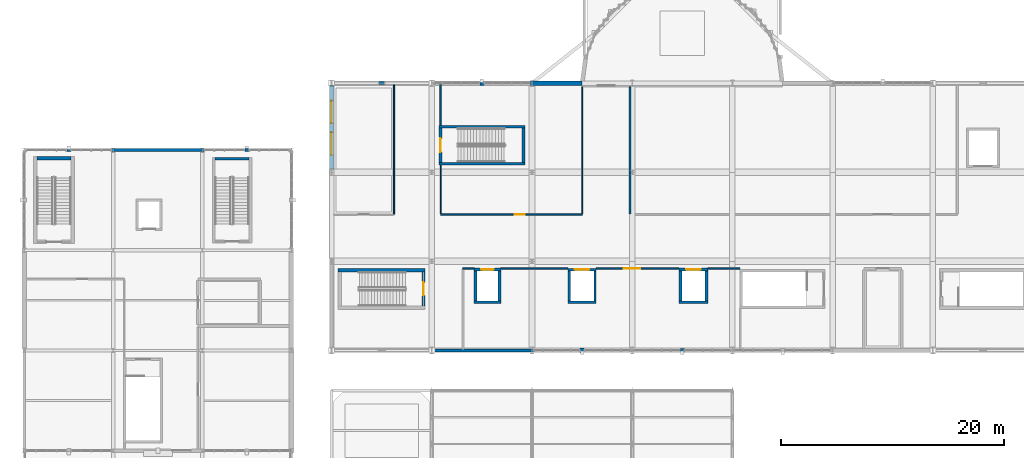
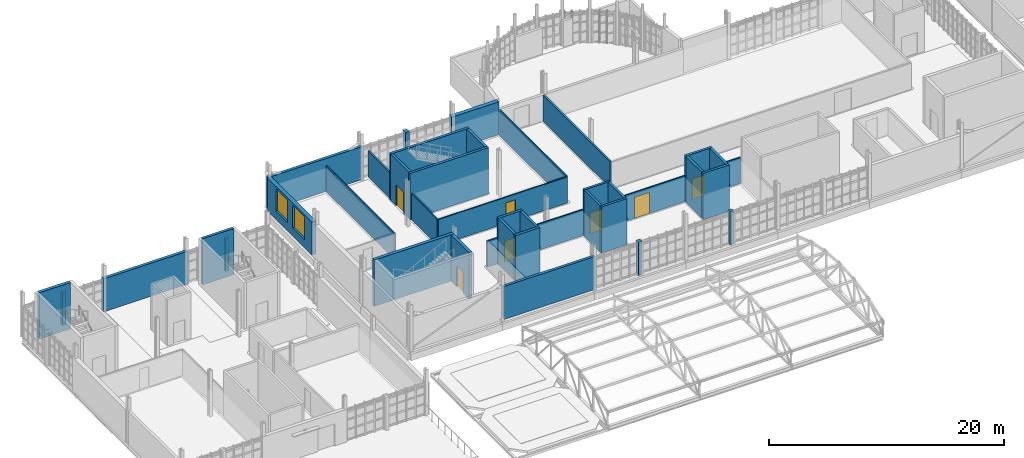
# One storey, part 114 of 128: 40 walls, 7 doors, 2 windows, 9 openings.
"""IFC4 building model written with IfcOpenShell, lengths in metres."""

from ifc_helpers import new_model, si_unit, direction, frame, frame_2d, origin, place, context, subcontext, project, spatial, rectangle, extrude, material, layer, layer_set, type_object, element, fill, save


model = new_model("IFC4")

# Units and contexts
model_context = context("Model", 3, precision=1e-05, world=origin(), true_north=direction((0.0, 1.0)))
body_context = subcontext(model_context, "Body", "Model", "MODEL_VIEW")
ifc_project = project(units=[si_unit("LENGTHUNIT", "METRE"), si_unit("AREAUNIT", "SQUARE_METRE"), si_unit("VOLUMEUNIT", "CUBIC_METRE"), si_unit("PLANEANGLEUNIT", "RADIAN"), si_unit("MASSUNIT", "GRAM", prefix="KILO")], contexts=[model_context])

# Site, building, storey
site_placement = place(None, origin())
site = spatial("IfcSite", under=ifc_project, at=site_placement, CompositionType="ELEMENT")
building_placement = place(site_placement, origin())
building = spatial("IfcBuilding", under=site, at=building_placement, Name="Serraforn Aerial Cableway Station", CompositionType="ELEMENT")
storey_placement = place(building_placement, frame((0.0, 0.0, 9.0)))
storey = spatial("IfcBuildingStorey", under=building, at=storey_placement, Name="L02", CompositionType="ELEMENT", Elevation=9.0)

# Wall
ifc_material_1 = material(Name="Concrete C35/45", Category="concrete")
ifc_layer_1 = layer(ifc_material_1, 0.219970703125)
ifc_layer_set_1 = layer_set([ifc_layer_1], Name="Concrete C35/45")
wall_type_1 = type_object("IfcWallType", Name="WL-COR-220", PredefinedType="SHEAR", material=ifc_layer_set_1)
wall_1_placement = place(storey_placement, frame((48.830078125, 22.340087890625, 0.0), z_axis=(0.0, 0.0, 1.0), x_axis=(1.0, 0.0, 0.0)))
element("IfcWall", 1, at=wall_1_placement, inside=storey, type_object=wall_type_1, Name="Lift Shaft Shear Wall WLFT-LF-03-L02-S", PredefinedType="SHEAR", context=body_context, shape_type="SweptSolid", body=[
    extrude(rectangle(XDim=2.5400390625, YDim=0.219970703125, at=frame_2d((1.27001953125, 0.0))), origin(), (0.0, 0.0, 1.0), 4.800048828125),
])

# Wall, opening, door
wall_2_placement = place(storey_placement, frame((48.830078125, 25.260009765625, 0.0), z_axis=(0.0, 0.0, 1.0), x_axis=(1.0, 0.0, 0.0)))
wall_2 = element("IfcWall", 2, at=wall_2_placement, inside=storey, type_object=wall_type_1, Name="Lift Shaft Shear Wall WLFT-LF-03-L02-N", PredefinedType="SHEAR", context=body_context, shape_type="SweptSolid", body=[
    extrude(rectangle(XDim=2.5400390625, YDim=0.219970703125, at=frame_2d((1.27001953125, 0.0))), origin(), (0.0, 0.0, 1.0), 4.800048828125),
])
opening_1_placement = place(wall_2_placement, frame((0.6201171875, 0.0, 0.0)))
opening_1 = element("IfcOpeningElement", 3, at=opening_1_placement, cuts=wall_2, Name="Opening LD-13", PredefinedType="OPENING", context=body_context, shape_type="SweptSolid", body=[
    extrude(rectangle(XDim=1.300048828125, YDim=2.14990234375, at=frame_2d((0.64990234375, 1.074951171875))), frame((0.0, 0.119873046875, 0.0), z_axis=(0.0, -1.0, 0.0), x_axis=(1.0, 0.0, 0.0)), (0.0, 0.0, 1.0), 0.239990234375),
])
ifc_material_2 = material(Name="Brushed stainless-steel sliding lift landing door", Category="steel")
door_type_1 = type_object("IfcDoorType", Name="DR-LIFT-130", OperationType="SLIDING_TO_RIGHT", PredefinedType="DOOR", material=ifc_material_2)
door_1_placement = place(opening_1_placement, origin())
door_1 = element("IfcDoor", 4, at=door_1_placement, inside=storey, type_object=door_type_1, Name="Sliding Lift Landing Door LD-13 (LF-03 L02)", OperationType="SLIDING_TO_RIGHT", OverallHeight=2.14990234375, OverallWidth=1.300048828125, PredefinedType="DOOR", context=body_context, shape_type="SweptSolid", body=[
    extrude(rectangle(XDim=1.300048828125, YDim=2.14990234375, at=frame_2d((0.64990234375, 1.074951171875))), frame((0.0, 0.02490234375, 0.0), z_axis=(0.0, -1.0, 0.0), x_axis=(1.0, 0.0, 0.0)), (0.0, 0.0, 1.0), 0.050048828125),
])
fill(opening_1, door_1)

# Walls
for number, where, z_axis, x_axis, name in (
    (5, (48.93994140625, 22.449951171875, 0.0), (0.0, 0.0, 1.0), (0.0, 1.0, 0.0), "Lift Shaft Shear Wall WLFT-LF-03-L02-W"),
    (6, (51.260009765625, 22.449951171875, 0.0), (0.0, 0.0, 1.0), (0.0, 1.0, 0.0), "Lift Shaft Shear Wall WLFT-LF-03-L02-E"),
):
    element("IfcWall", number, at=place(storey_placement, frame(where, z_axis=z_axis, x_axis=x_axis)), inside=storey, type_object=wall_type_1, Name=name, PredefinedType="SHEAR", context=body_context, shape_type="SweptSolid", body=[
        extrude(rectangle(XDim=2.699951171875, YDim=0.219970703125, at=frame_2d((1.35009765625, 0.0))), origin(), (0.0, 0.0, 1.0), 4.800048828125),
    ])
ifc_layer_2 = layer(ifc_material_1, 0.25)
ifc_layer_set_2 = layer_set([ifc_layer_2], Name="Concrete C35/45")
wall_type_2 = type_object("IfcWallType", Name="WL-COR-250", PredefinedType="SHEAR", material=ifc_layer_set_2)
wall_3_placement = place(storey_placement, frame((20.199951171875, 35.22509765625, 0.0), z_axis=(0.0, 0.0, 1.0), x_axis=(-1.0, 0.0, 0.0)))
element("IfcWall", 7, at=wall_3_placement, inside=storey, type_object=wall_type_2, Name="Stair Core Shear Wall WCOR-ST-02-L02-FAR", PredefinedType="SHEAR", context=body_context, shape_type="SweptSolid", body=[
    extrude(rectangle(XDim=3.06005859375, YDim=0.25, at=frame_2d((1.530029296875, 0.0))), origin(), (0.0, 0.0, 1.0), 4.800048828125),
])

# Wall, opening, door
wall_4_placement = place(storey_placement, frame((37.375, 34.89990234375, 0.0), z_axis=(0.0, 0.0, 1.0), x_axis=(0.0, 1.0, 0.0)))
wall_4 = element("IfcWall", 8, at=wall_4_placement, inside=storey, type_object=wall_type_2, Name="Stair Core Shear Wall WCOR-ST-04-L02-NEAR", PredefinedType="SHEAR", context=body_context, shape_type="SweptSolid", body=[
    extrude(rectangle(XDim=3.06005859375, YDim=0.25, at=frame_2d((1.530029296875, 0.0))), origin(), (0.0, 0.0, 1.0), 4.800048828125),
])
opening_2_placement = place(wall_4_placement, frame((0.905029296875, 0.0, 0.0)))
opening_2 = element("IfcOpeningElement", 9, at=opening_2_placement, cuts=wall_4, Name="Opening D-S20", PredefinedType="OPENING", context=body_context, shape_type="SweptSolid", body=[
    extrude(rectangle(XDim=1.25, YDim=2.14990234375, at=frame_2d((0.625, 1.074951171875))), frame((0.0, 0.135009765625, 0.0), z_axis=(0.0, -1.0, 0.0), x_axis=(1.0, 0.0, 0.0)), (0.0, 0.0, 1.0), 0.27001953125),
])
ifc_material_3 = material(Name="Self-closing steel stair fire door", Category="steel")
door_type_2 = type_object("IfcDoorType", Name="DR-STAIR-125", OperationType="NOTDEFINED", PredefinedType="DOOR", material=ifc_material_3)
door_2_placement = place(opening_2_placement, origin())
door_2 = element("IfcDoor", 10, at=door_2_placement, inside=storey, type_object=door_type_2, Name="Protected Stair Door D-S20", OperationType="SINGLE_SWING_RIGHT", OverallHeight=2.14990234375, OverallWidth=1.25, PredefinedType="DOOR", context=body_context, shape_type="SweptSolid", body=[
    extrude(rectangle(XDim=1.25, YDim=2.14990234375, at=frame_2d((0.625, 1.074951171875))), frame((0.0, 0.02490234375, 0.0), z_axis=(0.0, -1.0, 0.0), x_axis=(1.0, 0.0, 0.0)), (0.0, 0.0, 1.0), 0.050048828125),
])
fill(opening_2, door_2)

# Walls
wall_5_placement = place(storey_placement, frame((44.824951171875, 34.89990234375, 0.0), z_axis=(0.0, 0.0, 1.0), x_axis=(0.0, 1.0, 0.0)))
element("IfcWall", 11, at=wall_5_placement, inside=storey, type_object=wall_type_2, Name="Stair Core Shear Wall WCOR-ST-04-L02-FAR", PredefinedType="SHEAR", context=body_context, shape_type="SweptSolid", body=[
    extrude(rectangle(XDim=3.06005859375, YDim=0.25, at=frame_2d((1.530029296875, 0.0))), origin(), (0.0, 0.0, 1.0), 4.800048828125),
])
for number, where, z_axis, x_axis, name in (
    (12, (37.25, 34.77490234375, 0.0), (0.0, 0.0, 1.0), (1.0, 0.0, 0.0), "Stair Core Shear Wall WCOR-ST-04-L02-L"),
    (13, (37.25, 38.0849609375, 0.0), (0.0, 0.0, 1.0), (1.0, 0.0, 0.0), "Stair Core Shear Wall WCOR-ST-04-L02-R"),
):
    element("IfcWall", number, at=place(storey_placement, frame(where, z_axis=z_axis, x_axis=x_axis)), inside=storey, type_object=wall_type_2, Name=name, PredefinedType="SHEAR", context=body_context, shape_type="SweptSolid", body=[
        extrude(rectangle(XDim=7.699951171875, YDim=0.25, at=frame_2d((3.85009765625, 0.0))), origin(), (0.0, 0.0, 1.0), 4.800048828125),
    ])
wall_6_placement = place(storey_placement, frame((40.39990234375, 22.324951171875, 0.0), z_axis=(0.0, 0.0, 1.0), x_axis=(1.0, 0.0, 0.0)))
element("IfcWall", 14, at=wall_6_placement, inside=storey, type_object=wall_type_2, Name="Lift Shaft Shear Wall WLFT-LF-02-L02-S", PredefinedType="SHEAR", context=body_context, shape_type="SweptSolid", body=[
    extrude(rectangle(XDim=2.400146484375, YDim=0.25, at=frame_2d((1.2001953125, 0.0))), origin(), (0.0, 0.0, 1.0), 4.800048828125),
])

# Wall, opening, door
wall_7_placement = place(storey_placement, frame((40.39990234375, 25.27490234375, 0.0), z_axis=(0.0, 0.0, 1.0), x_axis=(1.0, 0.0, 0.0)))
wall_7 = element("IfcWall", 15, at=wall_7_placement, inside=storey, type_object=wall_type_2, Name="Lift Shaft Shear Wall WLFT-LF-02-L02-N", PredefinedType="SHEAR", context=body_context, shape_type="SweptSolid", body=[
    extrude(rectangle(XDim=2.400146484375, YDim=0.25, at=frame_2d((1.2001953125, 0.0))), origin(), (0.0, 0.0, 1.0), 4.800048828125),
])
opening_3_placement = place(wall_7_placement, frame((0.64990234375, 0.0, 0.0)))
opening_3 = element("IfcOpeningElement", 16, at=opening_3_placement, cuts=wall_7, Name="Opening LD-08", PredefinedType="OPENING", context=body_context, shape_type="SweptSolid", body=[
    extrude(rectangle(XDim=1.10009765625, YDim=2.14990234375, at=frame_2d((0.550048828125, 1.074951171875))), frame((0.0, 0.135009765625, 0.0), z_axis=(0.0, -1.0, 0.0), x_axis=(1.0, 0.0, 0.0)), (0.0, 0.0, 1.0), 0.27001953125),
])
door_type_3 = type_object("IfcDoorType", Name="DR-LIFT-110", OperationType="SLIDING_TO_LEFT", PredefinedType="DOOR", material=ifc_material_2)
door_3_placement = place(opening_3_placement, origin())
door_3 = element("IfcDoor", 17, at=door_3_placement, inside=storey, type_object=door_type_3, Name="Sliding Lift Landing Door LD-08 (LF-02 L02)", OperationType="SLIDING_TO_LEFT", OverallHeight=2.14990234375, OverallWidth=1.10009765625, PredefinedType="DOOR", context=body_context, shape_type="SweptSolid", body=[
    extrude(rectangle(XDim=1.10009765625, YDim=2.14990234375, at=frame_2d((0.550048828125, 1.074951171875))), frame((0.0, 0.02490234375, 0.0), z_axis=(0.0, -1.0, 0.0), x_axis=(1.0, 0.0, 0.0)), (0.0, 0.0, 1.0), 0.050048828125),
])
fill(opening_3, door_3)

# Walls
for number, where, z_axis, x_axis, name in (
    (18, (40.52490234375, 22.449951171875, 0.0), (0.0, 0.0, 1.0), (0.0, 1.0, 0.0), "Lift Shaft Shear Wall WLFT-LF-02-L02-W"),
    (19, (42.675048828125, 22.449951171875, 0.0), (0.0, 0.0, 1.0), (0.0, 1.0, 0.0), "Lift Shaft Shear Wall WLFT-LF-02-L02-E"),
):
    element("IfcWall", number, at=place(storey_placement, frame(where, z_axis=z_axis, x_axis=x_axis)), inside=storey, type_object=wall_type_2, Name=name, PredefinedType="SHEAR", context=body_context, shape_type="SweptSolid", body=[
        extrude(rectangle(XDim=2.699951171875, YDim=0.25, at=frame_2d((1.35009765625, 0.0))), origin(), (0.0, 0.0, 1.0), 4.800048828125),
    ])
wall_8_placement = place(storey_placement, frame((58.800048828125, 22.324951171875, 0.0), z_axis=(0.0, 0.0, 1.0), x_axis=(1.0, 0.0, 0.0)))
element("IfcWall", 20, at=wall_8_placement, inside=storey, type_object=wall_type_2, Name="Lift Shaft Shear Wall WLFT-LF-04-L02-S", PredefinedType="SHEAR", context=body_context, shape_type="SweptSolid", body=[
    extrude(rectangle(XDim=2.599853515625, YDim=0.25, at=frame_2d((1.2998046875, 0.0))), origin(), (0.0, 0.0, 1.0), 4.800048828125),
])

# Wall, opening, door
wall_9_placement = place(storey_placement, frame((58.800048828125, 25.27490234375, 0.0), z_axis=(0.0, 0.0, 1.0), x_axis=(1.0, 0.0, 0.0)))
wall_9 = element("IfcWall", 21, at=wall_9_placement, inside=storey, type_object=wall_type_2, Name="Lift Shaft Shear Wall WLFT-LF-04-L02-N", PredefinedType="SHEAR", context=body_context, shape_type="SweptSolid", body=[
    extrude(rectangle(XDim=2.599853515625, YDim=0.25, at=frame_2d((1.2998046875, 0.0))), origin(), (0.0, 0.0, 1.0), 4.800048828125),
])
opening_4_placement = place(wall_9_placement, frame((0.64990234375, 0.0, 0.0)))
opening_4 = element("IfcOpeningElement", 22, at=opening_4_placement, cuts=wall_9, Name="Opening LD-17", PredefinedType="OPENING", context=body_context, shape_type="SweptSolid", body=[
    extrude(rectangle(XDim=1.300048828125, YDim=2.14990234375, at=frame_2d((0.64990234375, 1.074951171875))), frame((0.0, 0.135009765625, 0.0), z_axis=(0.0, -1.0, 0.0), x_axis=(1.0, 0.0, 0.0)), (0.0, 0.0, 1.0), 0.27001953125),
])
door_4_placement = place(opening_4_placement, origin())
door_4 = element("IfcDoor", 23, at=door_4_placement, inside=storey, type_object=door_type_1, Name="Sliding Lift Landing Door LD-17 (LF-04 L02)", OperationType="SLIDING_TO_RIGHT", OverallHeight=2.14990234375, OverallWidth=1.300048828125, PredefinedType="DOOR", context=body_context, shape_type="SweptSolid", body=[
    extrude(rectangle(XDim=1.300048828125, YDim=2.14990234375, at=frame_2d((0.64990234375, 1.074951171875))), frame((0.0, 0.02490234375, 0.0), z_axis=(0.0, -1.0, 0.0), x_axis=(1.0, 0.0, 0.0)), (0.0, 0.0, 1.0), 0.050048828125),
])
fill(opening_4, door_4)

# Walls
for number, where, z_axis, x_axis, name in (
    (24, (58.925048828125, 22.449951171875, 0.0), (0.0, 0.0, 1.0), (0.0, 1.0, 0.0), "Lift Shaft Shear Wall WLFT-LF-04-L02-W"),
    (25, (61.27490234375, 22.449951171875, 0.0), (0.0, 0.0, 1.0), (0.0, 1.0, 0.0), "Lift Shaft Shear Wall WLFT-LF-04-L02-E"),
):
    element("IfcWall", number, at=place(storey_placement, frame(where, z_axis=z_axis, x_axis=x_axis)), inside=storey, type_object=wall_type_2, Name=name, PredefinedType="SHEAR", context=body_context, shape_type="SweptSolid", body=[
        extrude(rectangle(XDim=2.699951171875, YDim=0.25, at=frame_2d((1.35009765625, 0.0))), origin(), (0.0, 0.0, 1.0), 4.800048828125),
    ])
ifc_layer_3 = layer(ifc_material_1, 0.300048828125)
ifc_layer_set_3 = layer_set([ifc_layer_3], Name="Concrete C35/45")
wall_type_3 = type_object("IfcWallType", Name="WL-COR-300", PredefinedType="SHEAR", material=ifc_layer_set_3)
wall_10_placement = place(storey_placement, frame((4.199951171875, 35.25, 0.0), z_axis=(0.0, 0.0, 1.0), x_axis=(-1.0, 0.0, 0.0)))
element("IfcWall", 26, at=wall_10_placement, inside=storey, type_object=wall_type_3, Name="Stair Core Shear Wall WCOR-ST-01-L02-FAR", PredefinedType="SHEAR", context=body_context, shape_type="SweptSolid", body=[
    extrude(rectangle(XDim=3.06005859375, YDim=0.300048828125, at=frame_2d((1.530029296875, 0.0))), origin(), (0.0, 0.0, 1.0), 4.800048828125),
])

# Wall, opening, door
wall_11_placement = place(storey_placement, frame((35.85009765625, 25.06005859375, 0.0), z_axis=(0.0, 0.0, 1.0), x_axis=(0.0, -1.0, 0.0)))
wall_11 = element("IfcWall", 27, at=wall_11_placement, inside=storey, type_object=wall_type_3, Name="Stair Core Shear Wall WCOR-ST-03-L02-NEAR", PredefinedType="SHEAR", context=body_context, shape_type="SweptSolid", body=[
    extrude(rectangle(XDim=3.06005859375, YDim=0.300048828125, at=frame_2d((1.530029296875, 0.0))), origin(), (0.0, 0.0, 1.0), 4.800048828125),
])
opening_5_placement = place(wall_11_placement, frame((0.955078125, 0.0, 0.0)))
opening_5 = element("IfcOpeningElement", 28, at=opening_5_placement, cuts=wall_11, Name="Opening D-S15", PredefinedType="OPENING", context=body_context, shape_type="SweptSolid", body=[
    extrude(rectangle(XDim=1.14990234375, YDim=2.14990234375, at=frame_2d((0.574951171875, 1.074951171875))), frame((0.0, 0.159912109375, 0.0), z_axis=(0.0, -1.0, 0.0), x_axis=(1.0, 0.0, 0.0)), (0.0, 0.0, 1.0), 0.320068359375),
])
door_type_4 = type_object("IfcDoorType", Name="DR-STAIR-115", OperationType="NOTDEFINED", PredefinedType="DOOR", material=ifc_material_3)
door_5_placement = place(opening_5_placement, origin())
door_5 = element("IfcDoor", 29, at=door_5_placement, inside=storey, type_object=door_type_4, Name="Protected Stair Door D-S15", OperationType="SINGLE_SWING_LEFT", OverallHeight=2.14990234375, OverallWidth=1.14990234375, PredefinedType="DOOR", context=body_context, shape_type="SweptSolid", body=[
    extrude(rectangle(XDim=1.14990234375, YDim=2.14990234375, at=frame_2d((0.574951171875, 1.074951171875))), frame((0.0, 0.02490234375, 0.0), z_axis=(0.0, -1.0, 0.0), x_axis=(1.0, 0.0, 0.0)), (0.0, 0.0, 1.0), 0.050048828125),
])
fill(opening_5, door_5)

# Walls
wall_12_placement = place(storey_placement, frame((36.0, 25.2099609375, 0.0), z_axis=(0.0, 0.0, 1.0), x_axis=(-1.0, 0.0, 0.0)))
element("IfcWall", 30, at=wall_12_placement, inside=storey, type_object=wall_type_3, Name="Stair Core Shear Wall WCOR-ST-03-L02-L", PredefinedType="SHEAR", context=body_context, shape_type="SweptSolid", body=[
    extrude(rectangle(XDim=7.800048828125, YDim=0.300048828125, at=frame_2d((3.89990234375, 0.0))), origin(), (0.0, 0.0, 1.0), 4.800048828125),
])
ifc_material_4 = material(Name="Insulated stuccoed terracotta facade", Category="masonry")
ifc_layer_4 = layer(ifc_material_4, 0.260009765625)
ifc_layer_set_4 = layer_set([ifc_layer_4], Name="Insulated stuccoed terracotta facade")
wall_type_4 = type_object("IfcWallType", Name="WL-EXT-260", PredefinedType="SOLIDWALL", material=ifc_layer_set_4)
wall_13_placement = place(storey_placement, frame((36.7509765625, 18.0, 0.0), z_axis=(0.0, 0.0, 1.0), x_axis=(1.0, 0.0, 0.0)))
element("IfcWall", 31, at=wall_13_placement, inside=storey, type_object=wall_type_4, Name="Exterior Wall WEXT-CV-L02-S2", PredefinedType="SOLIDWALL", context=body_context, shape_type="SweptSolid", body=[
    extrude(rectangle(XDim=8.9990234375, YDim=0.260009765625, at=frame_2d((4.49951171875, 0.0))), origin(), (0.0, 0.0, 1.0), 3.419921875),
])
ifc_layer_5 = layer(ifc_material_4, 0.27490234375)
ifc_layer_set_5 = layer_set([ifc_layer_5], Name="Insulated stuccoed terracotta facade")
wall_type_5 = type_object("IfcWallType", Name="WL-EXT-275", PredefinedType="SOLIDWALL", material=ifc_layer_set_5)
wall_14_placement = place(storey_placement, frame((20.179931640625, 36.0, 0.0), z_axis=(0.0, 0.0, 1.0), x_axis=(-1.0, 0.0, 0.0)))
element("IfcWall", 32, at=wall_14_placement, inside=storey, type_object=wall_type_5, Name="Exterior Wall WPIER-W-L02-N3", PredefinedType="SOLIDWALL", context=body_context, shape_type="SweptSolid", body=[
    extrude(rectangle(XDim=0.35986328125, YDim=0.27490234375, at=frame_2d((0.179931640625, 0.0))), origin(), (0.0, 0.0, 1.0), 3.419921875),
])
wall_15_placement = place(storey_placement, frame((36.75, 42.0, 0.0), z_axis=(0.0, 0.0, 1.0), x_axis=(-1.0, 0.0, 0.0)))
element("IfcWall", 33, at=wall_15_placement, inside=storey, type_object=wall_type_5, Name="Exterior Wall WEXT-CV-L02-N1", PredefinedType="SOLIDWALL", context=body_context, shape_type="SweptSolid", body=[
    extrude(rectangle(XDim=9.300048828125, YDim=0.27490234375, at=frame_2d((4.64990234375, 0.0))), origin(), (0.0, 0.0, 1.0), 3.419921875),
])
ifc_material_5 = material(Name="Insulated fluted limestone rainscreen", Category="masonry")
ifc_layer_6 = layer(ifc_material_5, 0.2900390625)
ifc_layer_set_6 = layer_set([ifc_layer_6], Name="Insulated fluted limestone rainscreen")
wall_type_6 = type_object("IfcWallType", Name="WL-EXT-290", PredefinedType="SOLIDWALL", material=ifc_layer_set_6)
wall_16_placement = place(storey_placement, frame((16.14990234375, 36.0, 0.0), z_axis=(0.0, 0.0, 1.0), x_axis=(-1.0, 0.0, 0.0)))
element("IfcWall", 34, at=wall_16_placement, inside=storey, type_object=wall_type_6, Name="Exterior Wall WEXT-W-L02-N2", PredefinedType="SOLIDWALL", context=body_context, shape_type="SweptSolid", body=[
    extrude(rectangle(XDim=8.2998046875, YDim=0.2900390625, at=frame_2d((4.14990234375, 0.0))), origin(), (0.0, 0.0, 1.0), 3.419921875),
])
ifc_layer_7 = layer(ifc_material_5, 0.304931640625)
ifc_layer_set_7 = layer_set([ifc_layer_7], Name="Insulated fluted limestone rainscreen")
wall_type_7 = type_object("IfcWallType", Name="WL-EXT-305", PredefinedType="SOLIDWALL", material=ifc_layer_set_7)
wall_17_placement = place(storey_placement, frame((4.179931640625, 36.0, 0.0), z_axis=(0.0, 0.0, 1.0), x_axis=(-1.0, 0.0, 0.0)))
element("IfcWall", 35, at=wall_17_placement, inside=storey, type_object=wall_type_7, Name="Exterior Wall WPIER-W-L02-N1", PredefinedType="SOLIDWALL", context=body_context, shape_type="SweptSolid", body=[
    extrude(rectangle(XDim=0.35986328125, YDim=0.304931640625, at=frame_2d((0.179931640625, 0.0))), origin(), (0.0, 0.0, 1.0), 3.419921875),
])
ifc_material_6 = material(Name="Montjuic sandstone ashlar masonry", Category="masonry")
ifc_layer_8 = layer(ifc_material_6, 0.3798828125)
ifc_layer_set_8 = layer_set([ifc_layer_8], Name="Montjuic sandstone ashlar masonry")
wall_type_8 = type_object("IfcWallType", Name="WL-EXT-380", PredefinedType="SOLIDWALL", material=ifc_layer_set_8)
wall_18_placement = place(storey_placement, frame((58.919921875, 18.0, 0.0), z_axis=(0.0, 0.0, 1.0), x_axis=(1.0, 0.0, 0.0)))
element("IfcWall", 36, at=wall_18_placement, inside=storey, type_object=wall_type_8, Name="Exterior Wall WPIER-CV-L02-S4", PredefinedType="SOLIDWALL", context=body_context, shape_type="SweptSolid", body=[
    extrude(rectangle(XDim=0.360107421875, YDim=0.3798828125, at=frame_2d((0.18017578125, 0.0))), origin(), (0.0, 0.0, 1.0), 3.419921875),
])
ifc_layer_9 = layer(ifc_material_6, 0.39990234375)
ifc_layer_set_9 = layer_set([ifc_layer_9], Name="Montjuic sandstone ashlar masonry")
wall_type_9 = type_object("IfcWallType", Name="WL-EXT-400", PredefinedType="SOLIDWALL", material=ifc_layer_set_9)
wall_19_placement = place(storey_placement, frame((50.10009765625, 42.0, 0.0), z_axis=(0.0, 0.0, 1.0), x_axis=(-1.0, 0.0, 0.0)))
element("IfcWall", 37, at=wall_19_placement, inside=storey, type_object=wall_type_9, Name="Exterior Wall WEXT-CV-L02-N3", PredefinedType="SOLIDWALL", context=body_context, shape_type="SweptSolid", body=[
    extrude(rectangle(XDim=4.650146484375, YDim=0.39990234375, at=frame_2d((2.3251953125, 0.0))), origin(), (0.0, 0.0, 1.0), 3.419921875),
])

# Wall, openings, windows
wall_20_placement = place(storey_placement, frame((27.60009765625, 41.861572265625, 0.0), z_axis=(0.0, 0.0, 1.0), x_axis=(0.0, -1.0, 0.0)))
wall_20 = element("IfcWall", 38, at=wall_20_placement, inside=storey, type_object=wall_type_9, Name="Exterior Wall WEXT-CV-L02-W3", PredefinedType="SOLIDWALL", context=body_context, shape_type="SweptSolid", body=[
    extrude(rectangle(XDim=7.585693359375, YDim=0.39990234375, at=frame_2d((3.79296875, 0.0))), origin(), (0.0, 0.0, 1.0), 3.419921875),
])
opening_6_placement = place(wall_20_placement, frame((1.4365234375, 0.0, 0.85009765625)))
opening_6 = element("IfcOpeningElement", 39, at=opening_6_placement, cuts=wall_20, Name="Opening W-12", PredefinedType="OPENING", context=body_context, shape_type="SweptSolid", body=[
    extrude(rectangle(XDim=2.0, YDim=2.35009765625, at=frame_2d((1.0, 1.175048828125))), frame((0.0, 0.2099609375, 0.0), z_axis=(0.0, -1.0, 0.0), x_axis=(1.0, 0.0, 0.0)), (0.0, 0.0, 1.0), 0.419921875),
])
opening_7_placement = place(wall_20_placement, frame((4.28662109375, 0.0, 0.85009765625)))
opening_7 = element("IfcOpeningElement", 40, at=opening_7_placement, cuts=wall_20, Name="Opening W-12", PredefinedType="OPENING", context=body_context, shape_type="SweptSolid", body=[
    extrude(rectangle(XDim=2.0, YDim=2.35009765625, at=frame_2d((1.0, 1.175048828125))), frame((0.0, 0.2099609375, 0.0), z_axis=(0.0, -1.0, 0.0), x_axis=(1.0, 0.0, 0.0)), (0.0, 0.0, 1.0), 0.419921875),
])
ifc_material_7 = material(Name="Anodised bronze aluminium and low-E double glazing", Category="aluminium")
window_type = type_object("IfcWindowType", Name="WIN-ART-12", PartitioningType="SINGLE_PANEL", PredefinedType="WINDOW", material=ifc_material_7)
window_1_placement = place(opening_6_placement, origin())
window_1 = element("IfcWindow", 41, at=window_1_placement, inside=storey, type_object=window_type, Name="Art Deco Window WEXT-CV-L02-W3-W1", OverallHeight=2.35009765625, OverallWidth=2.0, PartitioningType="SINGLE_PANEL", PredefinedType="WINDOW", context=body_context, shape_type="SweptSolid", body=[
    extrude(rectangle(XDim=2.0, YDim=2.35009765625, at=frame_2d((1.0, 1.175048828125))), frame((0.0, 0.030029296875, 0.0), z_axis=(0.0, -1.0, 0.0), x_axis=(1.0, 0.0, 0.0)), (0.0, 0.0, 1.0), 0.06005859375),
])
fill(opening_6, window_1)
window_2_placement = place(opening_7_placement, origin())
window_2 = element("IfcWindow", 42, at=window_2_placement, inside=storey, type_object=window_type, Name="Art Deco Window WEXT-CV-L02-W3-W2", OverallHeight=2.35009765625, OverallWidth=2.0, PartitioningType="SINGLE_PANEL", PredefinedType="WINDOW", context=body_context, shape_type="SweptSolid", body=[
    extrude(rectangle(XDim=2.0, YDim=2.35009765625, at=frame_2d((1.0, 1.175048828125))), frame((0.0, 0.030029296875, 0.0), z_axis=(0.0, -1.0, 0.0), x_axis=(1.0, 0.0, 0.0)), (0.0, 0.0, 1.0), 0.06005859375),
])
fill(opening_7, window_2)

# Walls
ifc_layer_10 = layer(ifc_material_6, 0.4150390625)
ifc_layer_set_10 = layer_set([ifc_layer_10], Name="Montjuic sandstone ashlar masonry")
wall_type_10 = type_object("IfcWallType", Name="WL-EXT-415", PredefinedType="SOLIDWALL", material=ifc_layer_set_10)
wall_21_placement = place(storey_placement, frame((49.919921875, 18.0, 0.0), z_axis=(0.0, 0.0, 1.0), x_axis=(1.0, 0.0, 0.0)))
element("IfcWall", 43, at=wall_21_placement, inside=storey, type_object=wall_type_10, Name="Exterior Wall WPIER-CV-L02-S3", PredefinedType="SOLIDWALL", context=body_context, shape_type="SweptSolid", body=[
    extrude(rectangle(XDim=0.360107421875, YDim=0.4150390625, at=frame_2d((0.18017578125, 0.0))), origin(), (0.0, 0.0, 1.0), 3.419921875),
])
ifc_layer_11 = layer(ifc_material_6, 0.429931640625)
ifc_layer_set_11 = layer_set([ifc_layer_11], Name="Montjuic sandstone ashlar masonry")
wall_type_11 = type_object("IfcWallType", Name="WL-EXT-430", PredefinedType="SOLIDWALL", material=ifc_layer_set_11)
wall_22_placement = place(storey_placement, frame((41.280029296875, 42.0, 0.0), z_axis=(0.0, 0.0, 1.0), x_axis=(-1.0, 0.0, 0.0)))
element("IfcWall", 44, at=wall_22_placement, inside=storey, type_object=wall_type_11, Name="Exterior Wall WPIER-CV-L02-N2", PredefinedType="SOLIDWALL", context=body_context, shape_type="SweptSolid", body=[
    extrude(rectangle(XDim=0.360107421875, YDim=0.429931640625, at=frame_2d((0.18017578125, 0.0))), origin(), (0.0, 0.0, 1.0), 3.419921875),
])

# Wall, opening, door
ifc_material_8 = material(Name="Operable acoustic auditorium partition")
ifc_layer_12 = layer(ifc_material_8, 0.1259765625)
ifc_layer_set_12 = layer_set([ifc_layer_12], Name="Operable acoustic auditorium partition")
wall_type_12 = type_object("IfcWallType", Name="WL-MOV-126", PredefinedType="MOVABLE", material=ifc_layer_set_12)
wall_23_placement = place(storey_placement, frame((50.10009765625, 30.199951171875, 0.0), z_axis=(0.0, 0.0, 1.0), x_axis=(-1.0, 0.0, 0.0)))
wall_23 = element("IfcWall", 45, at=wall_23_placement, inside=storey, type_object=wall_type_12, Name="Interior Partition WPRT-L02-04-176", PredefinedType="MOVABLE", context=body_context, shape_type="SweptSolid", body=[
    extrude(rectangle(XDim=12.7001953125, YDim=0.1259765625, at=frame_2d((6.35009765625, 0.0))), origin(), (0.0, 0.0, 1.0), 2.699951171875),
])
opening_8_placement = place(wall_23_placement, frame((5.139892578125, 0.0, 0.0)))
opening_8 = element("IfcOpeningElement", 46, at=opening_8_placement, cuts=wall_23, Name="Opening DI-055", PredefinedType="OPENING", context=body_context, shape_type="SweptSolid", body=[
    extrude(rectangle(XDim=0.919921875, YDim=2.1201171875, at=frame_2d((0.4599609375, 1.06005859375))), frame((0.0, 0.072998046875, 0.0), z_axis=(0.0, -1.0, 0.0), x_axis=(1.0, 0.0, 0.0)), (0.0, 0.0, 1.0), 0.14599609375),
])
ifc_material_9 = material(Name="Timber acoustic veneer leaf", Category="wood")
door_type_5 = type_object("IfcDoorType", Name="DR-INT-092", OperationType="NOTDEFINED", PredefinedType="DOOR", material=ifc_material_9)
door_6_placement = place(opening_8_placement, origin())
door_6 = element("IfcDoor", 47, at=door_6_placement, inside=storey, type_object=door_type_5, Name="Room Door DI-055 (L02-04)", OperationType="SINGLE_SWING_RIGHT", OverallHeight=2.1201171875, OverallWidth=0.919921875, PredefinedType="DOOR", context=body_context, shape_type="SweptSolid", body=[
    extrude(rectangle(XDim=0.919921875, YDim=2.1201171875, at=frame_2d((0.4599609375, 1.06005859375))), frame((0.0, 0.02490234375, 0.0), z_axis=(0.0, -1.0, 0.0), x_axis=(1.0, 0.0, 0.0)), (0.0, 0.0, 1.0), 0.050048828125),
])
fill(opening_8, door_6)

# Walls
ifc_material_10 = material(Name="Glazed acoustic timber-framed partition", Category="wood")
ifc_layer_13 = layer(ifc_material_10, 0.092041015625)
ifc_layer_set_13 = layer_set([ifc_layer_13], Name="Glazed acoustic timber-framed partition")
wall_type_13 = type_object("IfcWallType", Name="WL-PRT-092", PredefinedType="PARTITIONING", material=ifc_layer_set_13)
wall_24_placement = place(storey_placement, frame((37.39990234375, 30.263916015625, 0.0), z_axis=(0.0, 0.0, 1.0), x_axis=(0.0, 1.0, 0.0)))
element("IfcWall", 48, at=wall_24_placement, inside=storey, type_object=wall_type_13, Name="Interior Partition WPRT-L02-04-177", PredefinedType="PARTITIONING", context=body_context, shape_type="SweptSolid", body=[
    extrude(rectangle(XDim=4.385009765625, YDim=0.092041015625, at=frame_2d((2.1923828125, 0.0))), origin(), (0.0, 0.0, 1.0), 2.699951171875),
])
ifc_layer_14 = layer(ifc_material_10, 0.10205078125)
ifc_layer_set_14 = layer_set([ifc_layer_14], Name="Glazed acoustic timber-framed partition")
wall_type_14 = type_object("IfcWallType", Name="WL-PRT-102", PredefinedType="PARTITIONING", material=ifc_layer_set_14)
wall_25_placement = place(storey_placement, frame((50.10009765625, 41.677978515625, 0.0), z_axis=(0.0, 0.0, 1.0), x_axis=(0.0, -1.0, 0.0)))
element("IfcWall", 49, at=wall_25_placement, inside=storey, type_object=wall_type_14, Name="Interior Partition WPRT-L02-04-175", PredefinedType="PARTITIONING", context=body_context, shape_type="SweptSolid", body=[
    extrude(rectangle(XDim=11.4140625, YDim=0.10205078125, at=frame_2d((5.70703125, 0.0))), origin(), (0.0, 0.0, 1.0), 2.699951171875),
])
ifc_material_11 = material(Name="Metal-stud gypsum partition")
ifc_layer_15 = layer(ifc_material_11, 0.110107421875)
ifc_layer_set_15 = layer_set([ifc_layer_15], Name="Metal-stud gypsum partition")
wall_type_15 = type_object("IfcWallType", Name="WL-PRT-110", PredefinedType="PARTITIONING", material=ifc_layer_set_15)
wall_26_placement = place(storey_placement, frame((33.199951171875, 41.861572265625, 0.0), z_axis=(0.0, 0.0, 1.0), x_axis=(0.0, -1.0, 0.0)))
element("IfcWall", 50, at=wall_26_placement, inside=storey, type_object=wall_type_15, Name="Interior Partition WPRT-L02-17-173", PredefinedType="PARTITIONING", context=body_context, shape_type="SweptSolid", body=[
    extrude(rectangle(XDim=11.607666015625, YDim=0.110107421875, at=frame_2d((5.8037109375, 0.0))), origin(), (0.0, 0.0, 1.0), 2.699951171875),
])
ifc_layer_16 = layer(ifc_material_11, 0.117919921875)
ifc_layer_set_16 = layer_set([ifc_layer_16], Name="Metal-stud gypsum partition")
wall_type_16 = type_object("IfcWallType", Name="WL-PRT-118", PredefinedType="PARTITIONING", material=ifc_layer_set_16)
wall_27_placement = place(storey_placement, frame((61.40087890625, 25.35009765625, 0.0), z_axis=(0.0, 0.0, 1.0), x_axis=(1.0, 0.0, 0.0)))
element("IfcWall", 51, at=wall_27_placement, inside=storey, type_object=wall_type_16, Name="Interior Partition WPRT-L02-07-171", PredefinedType="PARTITIONING", context=body_context, shape_type="SweptSolid", body=[
    extrude(rectangle(XDim=2.859130859375, YDim=0.117919921875, at=frame_2d((1.4296875, 0.0))), origin(), (0.0, 0.0, 1.0), 2.699951171875),
])

# Wall, opening, door
ifc_layer_17 = layer(ifc_material_11, 0.1220703125)
ifc_layer_set_17 = layer_set([ifc_layer_17], Name="Metal-stud gypsum partition")
wall_type_17 = type_object("IfcWallType", Name="WL-PRT-122", PredefinedType="PARTITIONING", material=ifc_layer_set_17)
wall_28_placement = place(storey_placement, frame((51.37109375, 25.35009765625, 0.0), z_axis=(0.0, 0.0, 1.0), x_axis=(1.0, 0.0, 0.0)))
wall_28 = element("IfcWall", 52, at=wall_28_placement, inside=storey, type_object=wall_type_17, Name="Interior Partition WPRT-L02-07-170", PredefinedType="PARTITIONING", context=body_context, shape_type="SweptSolid", body=[
    extrude(rectangle(XDim=7.427978515625, YDim=0.1220703125, at=frame_2d((3.7138671875, 0.0))), origin(), (0.0, 0.0, 1.0), 2.699951171875),
])
opening_9_placement = place(wall_28_placement, frame((2.489013671875, 0.0, 0.0)))
opening_9 = element("IfcOpeningElement", 53, at=opening_9_placement, cuts=wall_28, Name="Opening DI-053", PredefinedType="OPENING", context=body_context, shape_type="SweptSolid", body=[
    extrude(rectangle(XDim=1.47998046875, YDim=2.199951171875, at=frame_2d((0.739990234375, 1.10009765625))), frame((0.0, 0.071044921875, 0.0), z_axis=(0.0, -1.0, 0.0), x_axis=(1.0, 0.0, 0.0)), (0.0, 0.0, 1.0), 0.14208984375),
])
ifc_material_12 = material(Name="Double-leaf glazed salon door")
door_type_6 = type_object("IfcDoorType", Name="DR-INT-148U", OperationType="NOTDEFINED", PredefinedType="DOOR", material=ifc_material_12)
door_7_placement = place(opening_9_placement, origin())
door_7 = element("IfcDoor", 54, at=door_7_placement, inside=storey, type_object=door_type_6, Name="Room Door DI-053 (L02-07)", OperationType="SINGLE_SWING_RIGHT", OverallHeight=2.199951171875, OverallWidth=1.47998046875, PredefinedType="DOOR", context=body_context, shape_type="SweptSolid", body=[
    extrude(rectangle(XDim=1.47998046875, YDim=2.199951171875, at=frame_2d((0.739990234375, 1.10009765625))), frame((0.0, 0.02490234375, 0.0), z_axis=(0.0, -1.0, 0.0), x_axis=(1.0, 0.0, 0.0)), (0.0, 0.0, 1.0), 0.050048828125),
])
fill(opening_9, door_7)

# Walls
ifc_layer_18 = layer(ifc_material_11, 0.1298828125)
ifc_layer_set_18 = layer_set([ifc_layer_18], Name="Metal-stud gypsum partition")
wall_type_18 = type_object("IfcWallType", Name="WL-PRT-130", PredefinedType="PARTITIONING", material=ifc_layer_set_18)
wall_29_placement = place(storey_placement, frame((42.801025390625, 25.35009765625, 0.0), z_axis=(0.0, 0.0, 1.0), x_axis=(1.0, 0.0, 0.0)))
element("IfcWall", 55, at=wall_29_placement, inside=storey, type_object=wall_type_18, Name="Interior Partition WPRT-L02-07-169", PredefinedType="PARTITIONING", context=body_context, shape_type="SweptSolid", body=[
    extrude(rectangle(XDim=6.028076171875, YDim=0.1298828125, at=frame_2d((3.01416015625, 0.0))), origin(), (0.0, 0.0, 1.0), 2.699951171875),
])
ifc_material_13 = material(Name="Acoustic twin-stud gypsum partition")
ifc_layer_19 = layer(ifc_material_13, 0.135009765625)
ifc_layer_set_19 = layer_set([ifc_layer_19], Name="Acoustic twin-stud gypsum partition")
wall_type_19 = type_object("IfcWallType", Name="WL-PRT-135", PredefinedType="PARTITIONING", material=ifc_layer_set_19)
wall_30_placement = place(storey_placement, frame((37.39990234375, 38.2109375, 0.0), z_axis=(0.0, 0.0, 1.0), x_axis=(0.0, 1.0, 0.0)))
element("IfcWall", 56, at=wall_30_placement, inside=storey, type_object=wall_type_19, Name="Interior Partition WPRT-L02-04-178", PredefinedType="PARTITIONING", context=body_context, shape_type="SweptSolid", body=[
    extrude(rectangle(XDim=3.7890625, YDim=0.135009765625, at=frame_2d((1.89453125, 0.0))), origin(), (0.0, 0.0, 1.0), 2.699951171875),
])
ifc_layer_20 = layer(ifc_material_13, 0.139892578125)
ifc_layer_set_20 = layer_set([ifc_layer_20], Name="Acoustic twin-stud gypsum partition")
wall_type_20 = type_object("IfcWallType", Name="WL-PRT-140", PredefinedType="PARTITIONING", material=ifc_layer_set_20)
wall_31_placement = place(storey_placement, frame((39.39990234375, 25.35009765625, 0.0), z_axis=(0.0, 0.0, 1.0), x_axis=(1.0, 0.0, 0.0)))
element("IfcWall", 57, at=wall_31_placement, inside=storey, type_object=wall_type_20, Name="Interior Partition WPRT-L02-07-168", PredefinedType="PARTITIONING", context=body_context, shape_type="SweptSolid", body=[
    extrude(rectangle(XDim=0.9990234375, YDim=0.139892578125, at=frame_2d((0.49951171875, 0.0))), origin(), (0.0, 0.0, 1.0), 2.699951171875),
])
ifc_layer_21 = layer(ifc_material_13, 0.169921875)
ifc_layer_set_21 = layer_set([ifc_layer_21], Name="Acoustic twin-stud gypsum partition")
wall_type_21 = type_object("IfcWallType", Name="WL-PRT-170", PredefinedType="PARTITIONING", material=ifc_layer_set_21)
wall_32_placement = place(storey_placement, frame((54.39990234375, 30.27587890625, 0.0), z_axis=(0.0, 0.0, 1.0), x_axis=(0.0, 1.0, 0.0)))
element("IfcWall", 58, at=wall_32_placement, inside=storey, type_object=wall_type_21, Name="Interior Partition WPRT-L02-05-185", PredefinedType="PARTITIONING", context=body_context, shape_type="SweptSolid", body=[
    extrude(rectangle(XDim=11.402099609375, YDim=0.169921875, at=frame_2d((5.701171875, 0.0))), origin(), (0.0, 0.0, 1.0), 2.699951171875),
])

save(model, "model.ifc")
